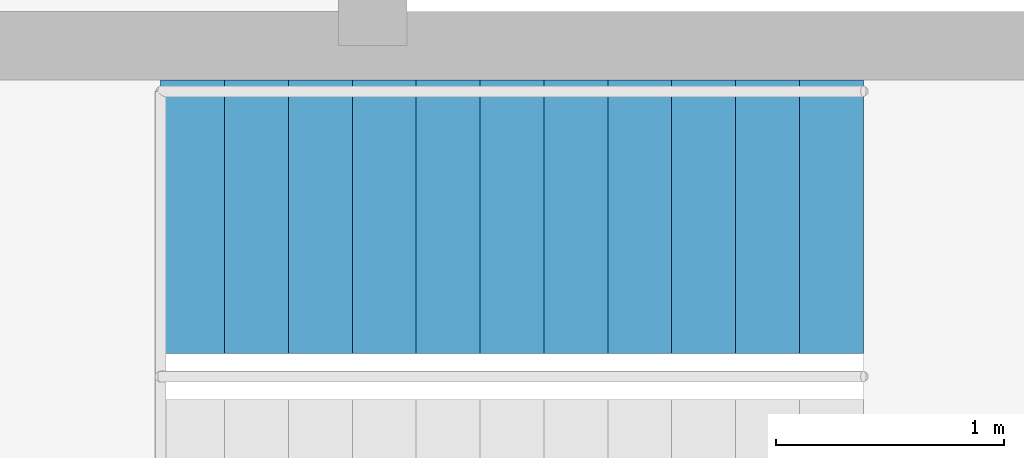
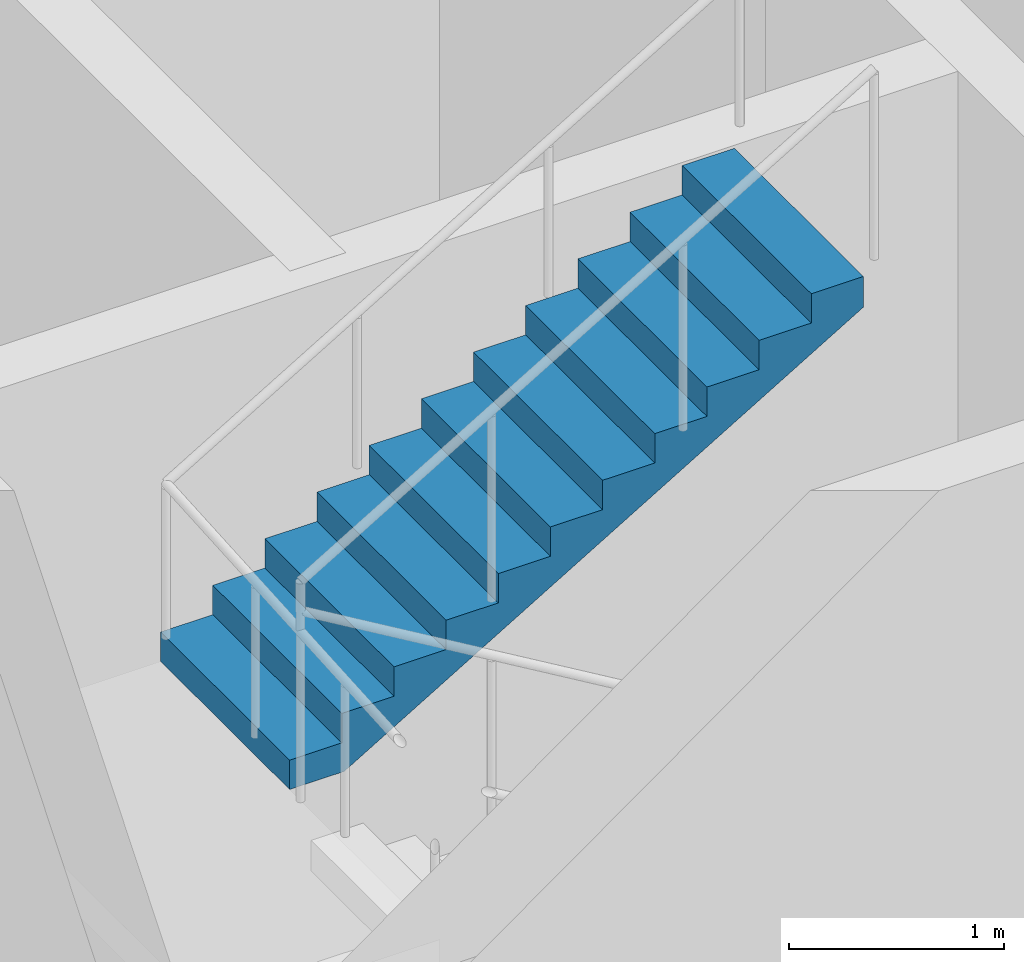
# One storey, part 6 of 13: 1 stair flight, 1 element without a shape of its own.
"""IFC4 building model written with IfcOpenShell, lengths in metres."""

from ifc_helpers import new_model, si_unit, direction, frame, origin, place, context, subcontext, project, spatial, polyline, outline, extrude, material, type_object, element, aggregate, save


model = new_model("IFC4")

# Units and contexts
model_context = context("Model", 3, precision=1e-05, world=origin(), true_north=direction((0.0, 1.0)))
body_context = subcontext(model_context, "Body", "Model", "MODEL_VIEW")
ifc_project = project(units=[si_unit("LENGTHUNIT", "METRE"), si_unit("AREAUNIT", "SQUARE_METRE"), si_unit("VOLUMEUNIT", "CUBIC_METRE"), si_unit("PLANEANGLEUNIT", "RADIAN"), si_unit("MASSUNIT", "GRAM", prefix="KILO")], contexts=[model_context])

# Site, building, storey
site_placement = place(None, origin())
site = spatial("IfcSite", under=ifc_project, at=site_placement, CompositionType="ELEMENT")
building_placement = place(site_placement, origin())
building = spatial("IfcBuilding", under=site, at=building_placement, Name="Entoto Ring Tower", CompositionType="ELEMENT")
storey_placement = place(building_placement, frame((0.0, 0.0, 258.0)))
storey = spatial("IfcBuildingStorey", under=building, at=storey_placement, Name="L59", CompositionType="ELEMENT", Elevation=258.0)

# Stair, stair flight
ifc_material_1 = material(Name="Concrete C40/50", Category="concrete")
stair_type = type_object("IfcStairType", Name="Exit stair 1200 mm dog-leg reinforced concrete", PredefinedType="HALF_TURN_STAIR", material=ifc_material_1)
stair_placement = place(storey_placement, origin())
stair = element("IfcStair", 1, at=stair_placement, inside=storey, type_object=stair_type, Name="Exit stair 1", PredefinedType="HALF_TURN_STAIR")
ifc_material_2 = material(Name="Concrete C40/50", Category="concrete")
stair_flight_type = type_object("IfcStairFlightType", Name="Stair flight 1200 mm reinforced concrete", PredefinedType="STRAIGHT", material=ifc_material_2)
stair_flight_placement = place(storey_placement, frame((96.169921875, 86.949951171875, 2.0), z_axis=(0.0, 0.0, 1.0), x_axis=(1.0, 0.0, 0.0)))
stair_flight = element("IfcStairFlight", 2, at=stair_flight_placement, type_object=stair_flight_type, Name="ST1 flight 2", NumberOfRisers=12, NumberOfTreads=11, PredefinedType="STRAIGHT", RiserHeight=0.166666667, TreadLength=0.28, context=body_context, shape_type="SweptSolid", body=[
    extrude(outline(polyline([(0.0, 0.0), (0.0, 0.166748046875), (0.280029296875, 0.166748046875), (0.280029296875, 0.333251953125), (0.56005859375, 0.333251953125), (0.56005859375, 0.5), (0.840087890625, 0.5), (0.840087890625, 0.666748046875), (1.1201171875, 0.666748046875), (1.1201171875, 0.833251953125), (1.39990234375, 0.833251953125), (1.39990234375, 1.0), (1.679931640625, 1.0), (1.679931640625, 1.166748046875), (1.9599609375, 1.166748046875), (1.9599609375, 1.333251953125), (2.239990234375, 1.333251953125), (2.239990234375, 1.5), (2.52001953125, 1.5), (2.52001953125, 1.666748046875), (2.800048828125, 1.666748046875), (2.800048828125, 1.833251953125), (3.080078125, 1.833251953125), (3.080078125, 2.0), (3.080078125, 1.658935546875), (0.29296875, 0.0), (0.0, 0.0)])), frame((0.0, 0.60009765625, 0.0), z_axis=(0.0, -1.0, 0.0), x_axis=(1.0, 0.0, 0.0)), (0.0, 0.0, 1.0), 1.199951171875),
])
aggregate(stair, [stair_flight])

save(model, "model.ifc")
